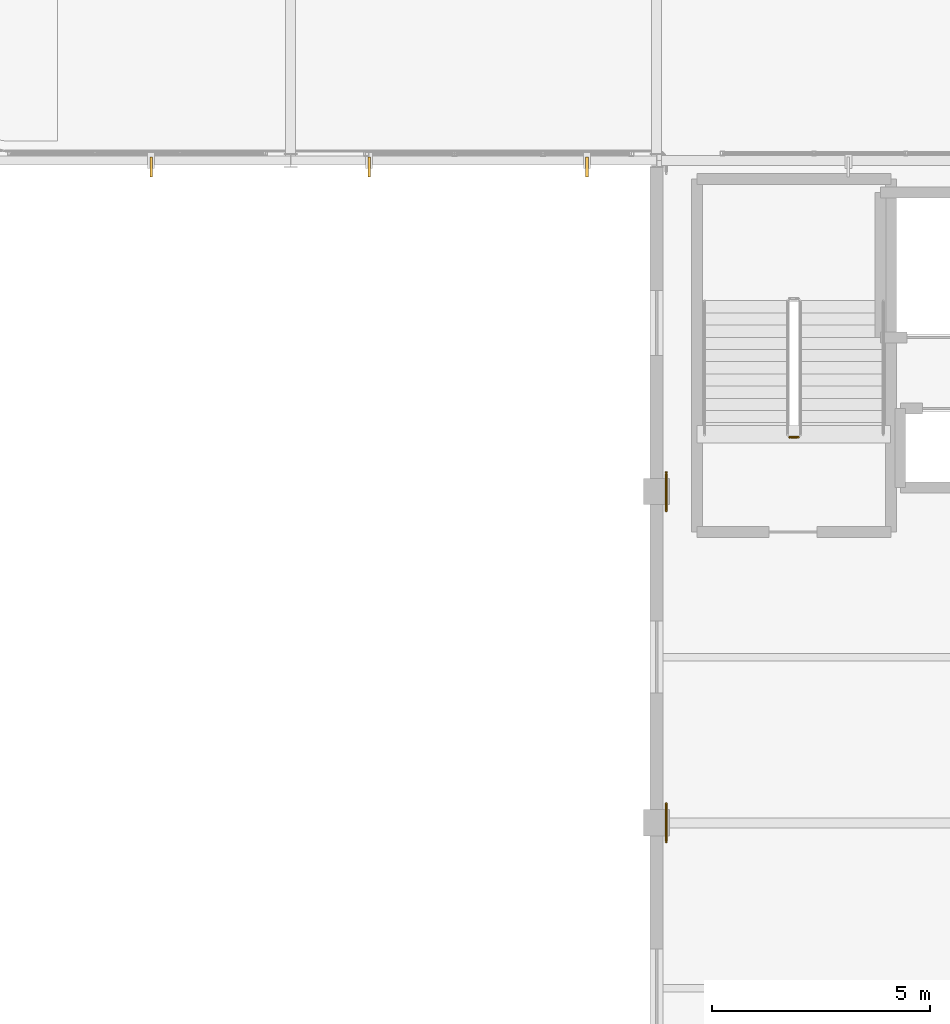
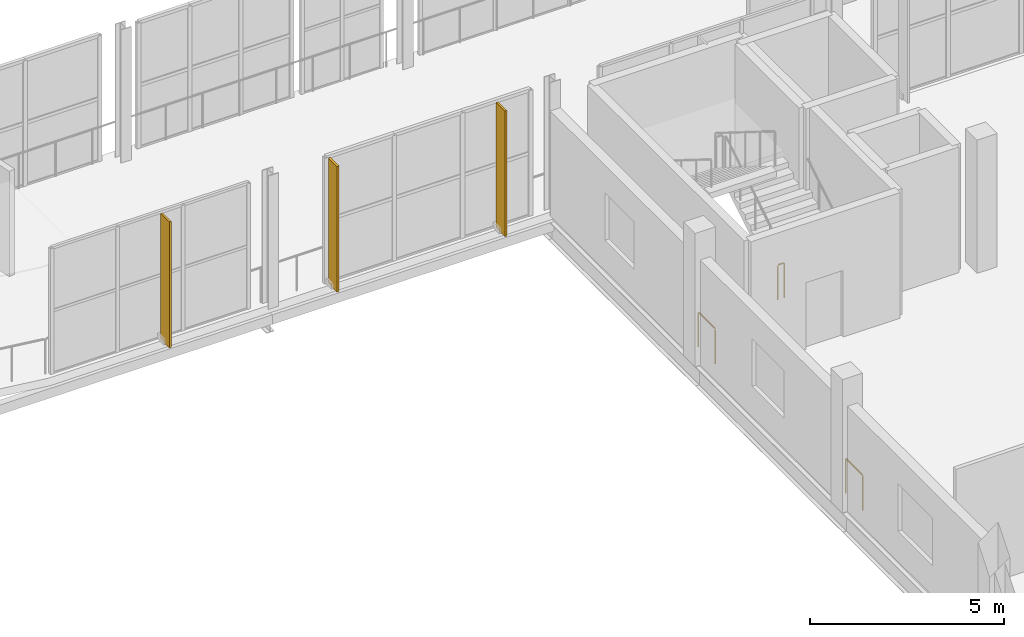
# One storey, part 137 of 151: 3 railings, 3 shading devices.
"""IFC4 building model written with IfcOpenShell, lengths in metres."""

from ifc_helpers import new_model, si_unit, direction, frame, origin, origin_2d, place, context, subcontext, project, spatial, rectangle, circle, extrude, material, type_object, element, save


model = new_model("IFC4")

# Units and contexts
model_context = context("Model", 3, precision=1e-05, world=origin(), true_north=direction((0.0, 1.0)))
body_context = subcontext(model_context, "Body", "Model", "MODEL_VIEW")
ifc_project = project(units=[si_unit("LENGTHUNIT", "METRE"), si_unit("AREAUNIT", "SQUARE_METRE"), si_unit("VOLUMEUNIT", "CUBIC_METRE"), si_unit("PLANEANGLEUNIT", "RADIAN"), si_unit("MASSUNIT", "GRAM", prefix="KILO")], contexts=[model_context])

# Site, building, storey
site_placement = place(None, origin())
site = spatial("IfcSite", under=ifc_project, at=site_placement, CompositionType="ELEMENT")
building_placement = place(site_placement, origin())
building = spatial("IfcBuilding", under=site, at=building_placement, Name="Zuvorla Pavilion Media Centre", CompositionType="ELEMENT")
storey_placement = place(building_placement, frame((0.0, 0.0, 13.800048828125)))
storey = spatial("IfcBuildingStorey", under=building, at=storey_placement, Name="L03", CompositionType="ELEMENT", Elevation=13.800048828125)

# Railings
ifc_material_1 = material(Name="Powder-coated steel balustrade guard", Category="steel")
railing_type = type_object("IfcRailingType", Name="RL-INT-GRD", PredefinedType="BALUSTRADE", material=ifc_material_1)
railing_1_placement = place(storey_placement, frame((44.85009765625, 37.64990234375, 0.0)))
element("IfcRailing", 1, at=railing_1_placement, inside=storey, type_object=railing_type, Name="L03 ST-03 stair guard 4", PredefinedType="BALUSTRADE", context=body_context, shape_type="SweptSolid", body=[
    extrude(circle(Radius=0.02392578125, at=origin_2d()), frame((-0.02880859375, 0.0, 1.09619140625), z_axis=(-1.0, 0.0, 0.0), x_axis=(0.0, -1.0, 0.0)), (0.0, 0.0, 1.0), 0.142578125),
    extrude(circle(Radius=0.02099609375, at=origin_2d()), origin(), (0.0, 0.0, 1.0), 1.070068359375),
    extrude(circle(Radius=0.02099609375, at=origin_2d()), frame((-0.2001953125, 0.0, 0.0)), (0.0, 0.0, 1.0), 1.070068359375),
])
railing_2_placement = place(storey_placement, frame((41.820068359375, 28.360107421875, 0.0)))
element("IfcRailing", 2, at=railing_2_placement, inside=storey, type_object=railing_type, Name="L03 slab edge guard 110", PredefinedType="BALUSTRADE", context=body_context, shape_type="SweptSolid", body=[
    extrude(circle(Radius=0.02392578125, at=origin_2d()), frame((0.0, 0.02880859375, 1.09619140625), z_axis=(0.0, 1.0, 0.0), x_axis=(-1.0, 0.0, 0.0)), (0.0, 0.0, 1.0), 0.822265625),
    extrude(circle(Radius=0.02099609375, at=origin_2d()), origin(), (0.0, 0.0, 1.0), 1.070068359375),
    extrude(circle(Radius=0.02099609375, at=origin_2d()), frame((0.0, 0.8798828125, 0.0)), (0.0, 0.0, 1.0), 1.070068359375),
])
railing_3_placement = place(storey_placement, frame((41.820068359375, 35.9599609375, 0.0)))
element("IfcRailing", 3, at=railing_3_placement, inside=storey, type_object=railing_type, Name="L03 slab edge guard 111", PredefinedType="BALUSTRADE", context=body_context, shape_type="SweptSolid", body=[
    extrude(circle(Radius=0.02392578125, at=origin_2d()), frame((0.0, 0.02880859375, 1.09619140625), z_axis=(0.0, 1.0, 0.0), x_axis=(-1.0, 0.0, 0.0)), (0.0, 0.0, 1.0), 0.822509765625),
    extrude(circle(Radius=0.02099609375, at=origin_2d()), origin(), (0.0, 0.0, 1.0), 1.070068359375),
    extrude(circle(Radius=0.02099609375, at=origin_2d()), frame((0.0, 0.880126953125, 0.0)), (0.0, 0.0, 1.0), 1.070068359375),
])

# Shading devices
ifc_material_2 = material(Name="Anodised aluminium aerofoil brise-soleil fin", Category="aluminium")
shading_device_type = type_object("IfcShadingDeviceType", Name="SHD-FIN-ALU", PredefinedType="USERDEFINED", material=ifc_material_2)
for number, where, z_axis, x_axis, name in (
    (4, (30.0, 43.85009765625, 0.0), (0.0, 0.0, 1.0), (1.0, 0.0, 0.0), "L03 aluminium solar fin 13"),
    (5, (35.0, 43.85009765625, 0.0), (0.0, 0.0, 1.0), (1.0, 0.0, 0.0), "L03 aluminium solar fin 14"),
    (6, (40.0, 43.85009765625, 0.0), (0.0, 0.0, 1.0), (1.0, 0.0, 0.0), "L03 aluminium solar fin 15"),
):
    element("IfcShadingDevice", number, at=place(storey_placement, frame(where, z_axis=z_axis, x_axis=x_axis)), inside=storey, type_object=shading_device_type, Name=name, ObjectType="FIN", PredefinedType="USERDEFINED", context=body_context, shape_type="SweptSolid", body=[
        extrude(rectangle(XDim=0.06005859375, YDim=0.449951171875, at=origin_2d()), origin(), (0.0, 0.0, 1.0), 3.9599609375),
    ])

save(model, "model.ifc")
